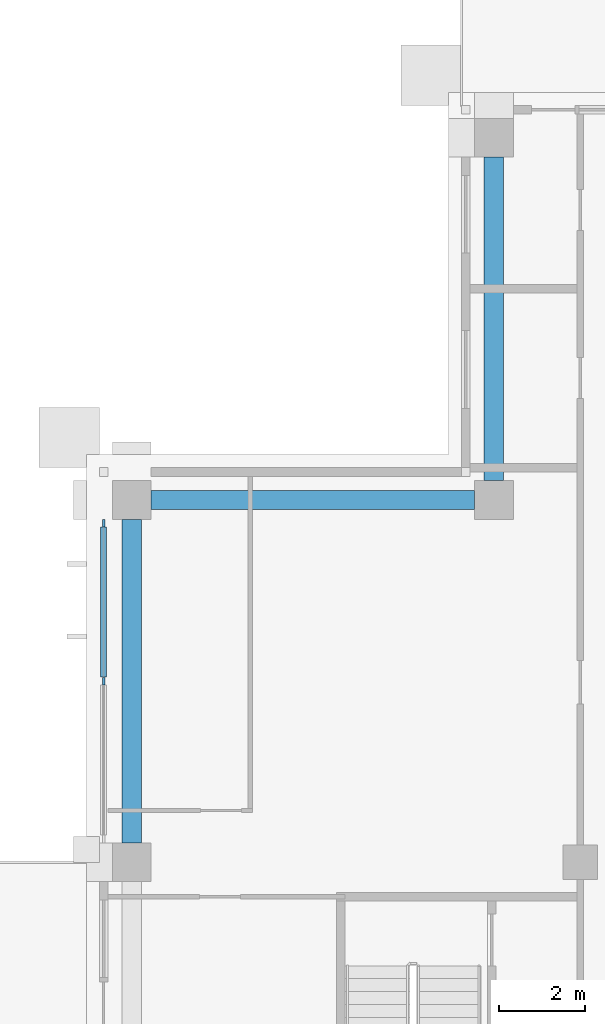
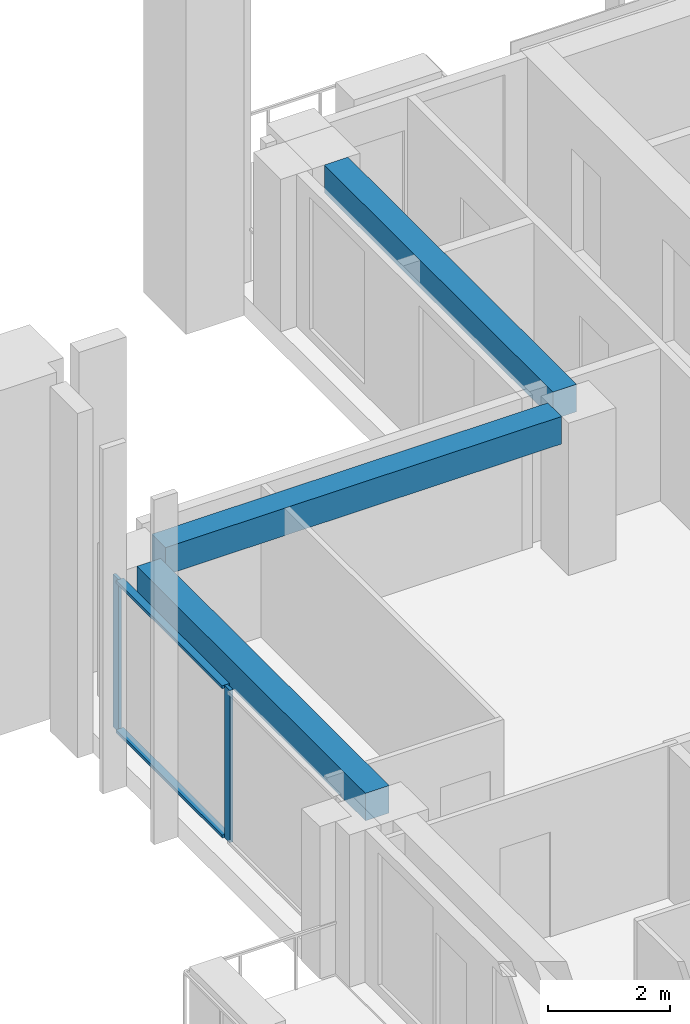
# One storey, part 5 of 18: 4 members, 3 beams, 1 element without a shape of its own.
"""IFC4 building model written with IfcOpenShell, lengths in metres."""

from ifc_helpers import new_model, si_unit, direction, frame, origin, origin_2d, place, context, subcontext, project, spatial, rectangle, extrude, material, material_profile, profile_set, type_object, element, aggregate, save


model = new_model("IFC4")

# Units and contexts
model_context = context("Model", 3, precision=1e-05, world=origin(), true_north=direction((0.0, 1.0)))
body_context = subcontext(model_context, "Body", "Model", "MODEL_VIEW")
ifc_project = project(units=[si_unit("LENGTHUNIT", "METRE"), si_unit("AREAUNIT", "SQUARE_METRE"), si_unit("VOLUMEUNIT", "CUBIC_METRE"), si_unit("PLANEANGLEUNIT", "RADIAN"), si_unit("MASSUNIT", "GRAM", prefix="KILO")], contexts=[model_context])

# Site, building, storey
site_placement = place(None, origin())
site = spatial("IfcSite", under=ifc_project, at=site_placement, CompositionType="ELEMENT")
building_placement = place(site_placement, origin())
building = spatial("IfcBuilding", under=site, at=building_placement, Name="Vermilion Ogive Tower", CompositionType="ELEMENT")
storey_placement = place(building_placement, frame((0.0, 0.0, 240.699951171875)))
storey = spatial("IfcBuildingStorey", under=building, at=storey_placement, Name="L63", CompositionType="ELEMENT", Elevation=240.699951171875)

# Curtain wall, members
ifc_material_1 = material(Name="Low-iron laminated glazing in aluminium frame", Category="aluminium")
curtain_wall_type = type_object("IfcCurtainWallType", Name="Curtain wall CW7", PredefinedType="NOTDEFINED", material=ifc_material_1)
curtain_wall_placement = place(storey_placement, origin())
curtain_wall = element("IfcCurtainWall", 1, at=curtain_wall_placement, inside=storey, type_object=curtain_wall_type, Name="Glazed skin W1", PredefinedType="NOTDEFINED")
ifc_material_2 = material(Name="Aluminium mullion", Category="aluminium")
ifc_material_profile_1 = material_profile(ifc_material_2, rectangle(XDim=0.06005859375, YDim=0.179931640625, at=origin_2d()), Name="AL 60x180")
ifc_profile_set_1 = profile_set([ifc_material_profile_1], Name="Aluminium mullion")
member_type_1 = type_object("IfcMemberType", Name="CW7 mullion 60x180", PredefinedType="MULLION", material=ifc_profile_set_1)
member_1_placement = place(storey_placement, frame((-25.85009765625, 12.06005859375, 0.0), z_axis=(0.0, 0.0, 1.0), x_axis=(1.0, 0.0, 0.0)))
member_1 = element("IfcMember", 2, at=member_1_placement, type_object=member_type_1, Name="CW7-W1 mullion 1", PredefinedType="MULLION", context=body_context, shape_type="SweptSolid", body=[
    extrude(rectangle(XDim=0.06005859375, YDim=0.179931640625, at=origin_2d()), origin(), (0.0, 0.0, 1.0), 3.050048828125),
])
member_2_placement = place(storey_placement, frame((-25.85009765625, 8.39990234375, 0.0), z_axis=(0.0, 0.0, 1.0), x_axis=(1.0, 0.0, 0.0)))
member_2 = element("IfcMember", 3, at=member_2_placement, type_object=member_type_1, Name="CW7-W1 mullion 2", PredefinedType="MULLION", context=body_context, shape_type="SweptSolid", body=[
    extrude(rectangle(XDim=0.06005859375, YDim=0.179931640625, at=origin_2d()), origin(), (0.0, 0.0, 1.0), 3.050048828125),
])
ifc_material_3 = material(Name="Aluminium transom", Category="aluminium")
ifc_material_profile_2 = material_profile(ifc_material_3, rectangle(XDim=0.139892578125, YDim=0.06005859375, at=origin_2d()), Name="AL 60x140")
ifc_profile_set_2 = profile_set([ifc_material_profile_2], Name="Aluminium transom")
member_type_2 = type_object("IfcMemberType", Name="CW7 transom 60x140", PredefinedType="USERDEFINED", material=ifc_profile_set_2)
member_3_placement = place(storey_placement, frame((-25.85009765625, 11.969970703125, 0.030029296875), z_axis=(0.0, -1.0, 0.0), x_axis=(1.0, 0.0, 0.0)))
member_3 = element("IfcMember", 4, at=member_3_placement, type_object=member_type_2, Name="CW7-W1 transom 1.1", ObjectType="TRANSOM", PredefinedType="USERDEFINED", context=body_context, shape_type="SweptSolid", body=[
    extrude(rectangle(XDim=0.139892578125, YDim=0.06005859375, at=origin_2d()), origin(), (0.0, 0.0, 1.0), 3.47998046875),
])
member_4_placement = place(storey_placement, frame((-25.85009765625, 11.969970703125, 3.02001953125), z_axis=(0.0, -1.0, 0.0), x_axis=(1.0, 0.0, 0.0)))
member_4 = element("IfcMember", 5, at=member_4_placement, type_object=member_type_2, Name="CW7-W1 transom 1.2", ObjectType="TRANSOM", PredefinedType="USERDEFINED", context=body_context, shape_type="SweptSolid", body=[
    extrude(rectangle(XDim=0.139892578125, YDim=0.06005859375, at=origin_2d()), origin(), (0.0, 0.0, 1.0), 3.47998046875),
])
aggregate(curtain_wall, [member_1, member_2, member_3, member_4])

# Beams
ifc_material_4 = material(Name="Concrete B45", Category="concrete")
ifc_material_profile_3 = material_profile(ifc_material_4, rectangle(XDim=0.449951171875, YDim=0.550048828125, at=origin_2d()), Name="450 x 550")
ifc_profile_set_3 = profile_set([ifc_material_profile_3], Name="Concrete B45")
beam_type = type_object("IfcBeamType", Name="Edge beam 450 x 550 B45", PredefinedType="BEAM", material=ifc_profile_set_3)
for number, where, z_axis, x_axis, name in (
    (6, (-16.800048828125, 20.550048828125, 2.775146484375), (0.0, -1.0, 0.0), (1.0, 0.0, 0.0), "L63-EB-12"),
    (7, (-17.25, 12.60009765625, 2.775146484375), (-1.0, 0.0, 0.0), (0.0, -1.0, 0.0), "L63-EB-13"),
    (8, (-25.199951171875, 12.14990234375, 2.775146484375), (0.0, -1.0, 0.0), (1.0, 0.0, 0.0), "L63-EB-14"),
):
    element("IfcBeam", number, at=place(storey_placement, frame(where, z_axis=z_axis, x_axis=x_axis)), inside=storey, type_object=beam_type, Name=name, PredefinedType="BEAM", context=body_context, shape_type="SweptSolid", body=[
        extrude(rectangle(XDim=0.449951171875, YDim=0.550048828125, at=origin_2d()), origin(), (0.0, 0.0, 1.0), 7.5),
    ])

save(model, "model.ifc")
